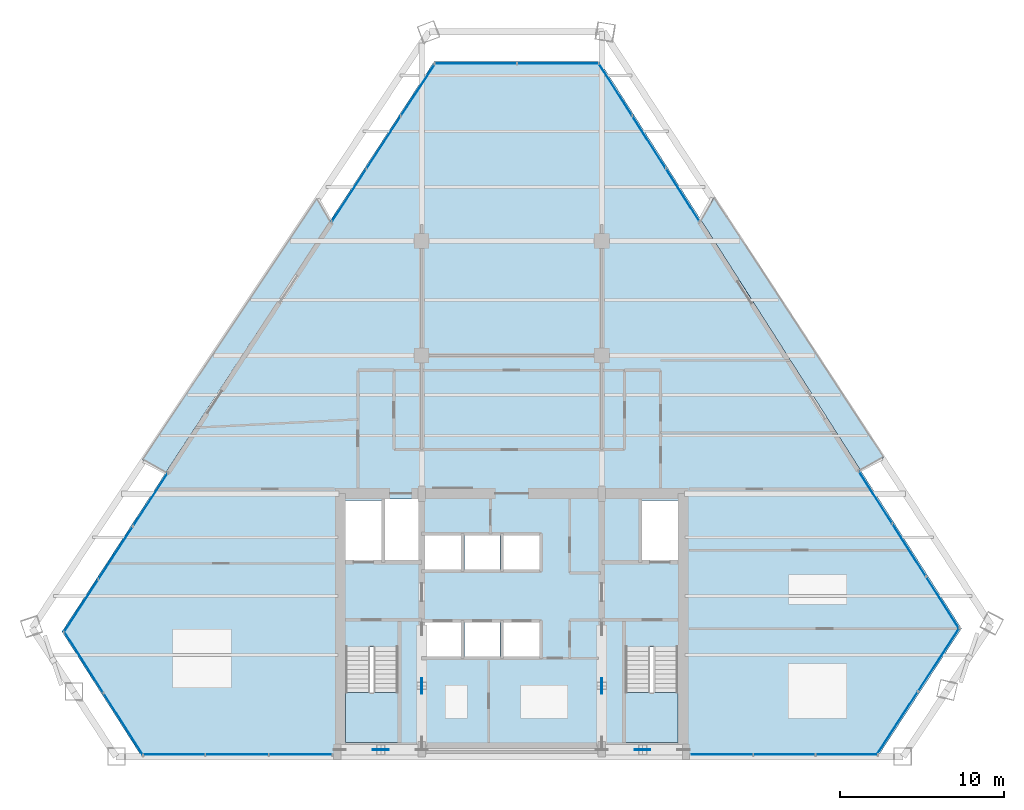
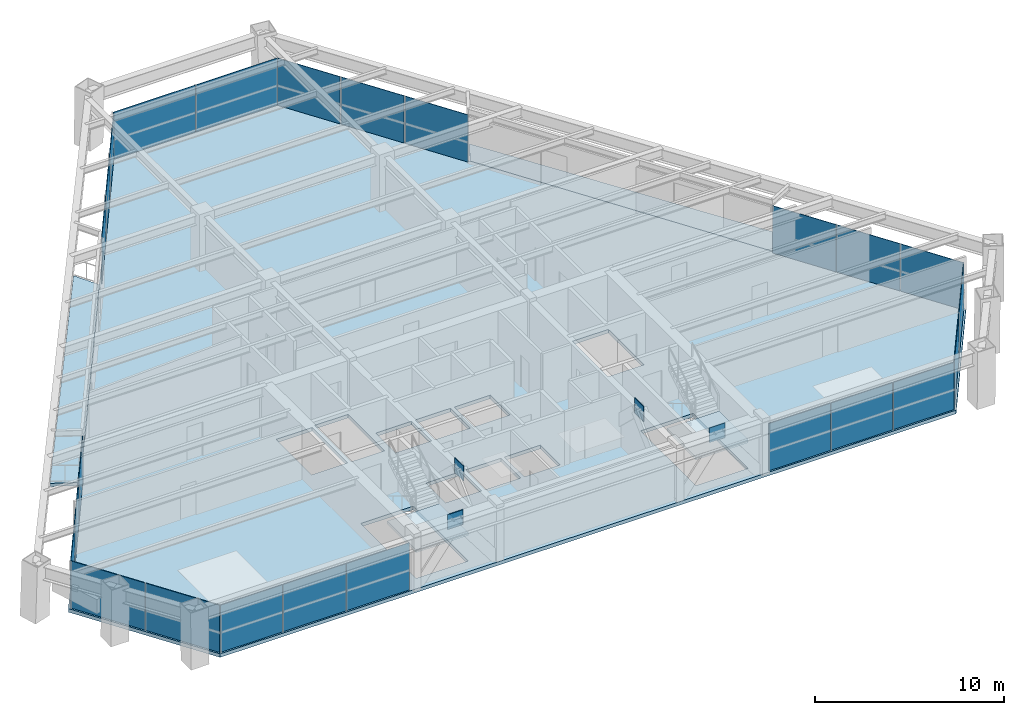
# One storey, part 10 of 15: 28 plates, 5 slabs, 11 elements without a shape of their own.
"""IFC4 building model written with IfcOpenShell, lengths in metres."""

import ifcopenshell
import ifcopenshell.guid

model = None  # the IFC model being written
_history = None  # IfcOwnerHistory: only IFC2X3 demands one
_inside = {}  # id of a spatial element -> (the spatial element, [elements in it])
_under = {}  # id of a project, library or spatial element -> (it, [spatial elements below it])
_declared = {}  # id of a project -> (the project, [libraries it declares])
_typed = {}  # id of a type object -> (the type object, [elements of that type])
_made_of = {}  # id of a material, layer set ... -> (it, [elements and type objects made of it])


def new_model(schema):
    """Start an empty IFC model of exactly this schema.

    Asked for "IFC4X3", IfcOpenShell would pick the latest addendum, in which some entities
    have other attributes; the version numbers below select the first issue.
    IFC2X3 requires an IfcOwnerHistory on every rooted entity: one is made here for all.
    """
    global model, _history
    if schema == "IFC4X3":
        model = ifcopenshell.file(schema_version=(4, 3, 0, 0))
    else:
        model = ifcopenshell.file(schema=schema)
    _inside.clear()
    _under.clear()
    _declared.clear()
    _typed.clear()
    _made_of.clear()
    _history = None
    if model.schema == "IFC2X3":
        org = make("IfcOrganization", Name="unknown")
        user = make(
            "IfcPersonAndOrganization",
            ThePerson=make("IfcPerson", FamilyName="unknown"),
            TheOrganization=org,
        )
        app = make(
            "IfcApplication",
            ApplicationDeveloper=org,
            Version="unknown",
            ApplicationFullName="unknown",
            ApplicationIdentifier="unknown",
        )
        _history = make(
            "IfcOwnerHistory",
            OwningUser=user,
            OwningApplication=app,
            ChangeAction="ADDED",
            CreationDate=0,
        )
    return model


def make(cls, **values):
    """One entity of the class cls with the attributes given. An attribute that is None is left unset."""
    return model.create_entity(
        cls, **{name: value for name, value in values.items() if value is not None}
    )


def rooted(cls, **values):
    """An entity with a GlobalId (a new one), such as an element, a storey or a relation."""
    return make(cls, GlobalId=ifcopenshell.guid.new(), OwnerHistory=_history, **values)


def si_unit(unit_type, name, prefix=None):
    """IfcSIUnit, for example si_unit("LENGTHUNIT", "METRE", prefix="MILLI")."""
    return make("IfcSIUnit", UnitType=unit_type, Prefix=prefix, Name=name)


def assignment(units):
    """IfcUnitAssignment: the units of a project."""
    return None if units is None else make("IfcUnitAssignment", Units=units)


def point(xyz):
    """IfcCartesianPoint."""
    return None if xyz is None else make("IfcCartesianPoint", Coordinates=xyz)


def direction(xyz):
    """IfcDirection."""
    return None if xyz is None else make("IfcDirection", DirectionRatios=xyz)


def frame(location, z_axis=None, x_axis=None):
    """IfcAxis2Placement3D, a coordinate frame: its origin and axes. An axis left out is left unset."""
    return make(
        "IfcAxis2Placement3D",
        Location=point(location),
        Axis=direction(z_axis),
        RefDirection=direction(x_axis),
    )


def frame_2d(location, x_axis=None):
    """IfcAxis2Placement2D, a coordinate frame in the plane: its origin and x axis."""
    return make(
        "IfcAxis2Placement2D", Location=point(location), RefDirection=direction(x_axis)
    )


def origin():
    """The frame at (0, 0, 0) with its axes left unset."""
    return frame((0.0, 0.0, 0.0))


def origin_2d():
    """The frame at (0, 0) in the plane with its x axis left unset."""
    return frame_2d((0.0, 0.0))


def place(relative_to, where):
    """IfcLocalPlacement: puts the frame where relative to a parent placement (None: the world)."""
    return make(
        "IfcLocalPlacement", PlacementRelTo=relative_to, RelativePlacement=where
    )


def context(
    kind, dimensions, precision=None, world=None, true_north=None, identifier=None
):
    """IfcGeometricRepresentationContext, for example the 3D "Model" context."""
    return make(
        "IfcGeometricRepresentationContext",
        ContextIdentifier=identifier,
        ContextType=kind,
        CoordinateSpaceDimension=dimensions,
        Precision=precision,
        WorldCoordinateSystem=world,
        TrueNorth=true_north,
    )


def subcontext(parent, identifier, kind, view, scale=None):
    """IfcGeometricRepresentationSubContext, for example "Body" below "Model"."""
    return make(
        "IfcGeometricRepresentationSubContext",
        ContextIdentifier=identifier,
        ContextType=kind,
        ParentContext=parent,
        TargetScale=scale,
        TargetView=view,
    )


def project(units=None, contexts=None):
    """IfcProject with its units and contexts."""
    return rooted(
        "IfcProject",
        Name="project",
        RepresentationContexts=contexts,
        UnitsInContext=assignment(units),
    )


def spatial(cls, under=None, at=None, **own):
    """A site, building, storey or space (cls), placed at a placement, below another one or the project."""
    s = rooted(cls, ObjectPlacement=at, **own)
    if under is not None:
        _under.setdefault(under.id(), (under, []))[1].append(s)
    return s


def polyline(points):
    """IfcPolyline through the points."""
    return make("IfcPolyline", Points=[point(p) for p in points])


def profile(cls, at=None, kind="AREA", **sizes):
    """A parametric profile (cls). Its sizes go by their IFC names, for example OverallWidth=200.0."""
    return make(cls, ProfileType=kind, Position=at, **sizes)


def rectangle(**sizes):
    """IfcRectangleProfileDef."""
    return profile("IfcRectangleProfileDef", **sizes)


def outline(outer, holes=None, kind="AREA"):
    """IfcArbitraryClosedProfileDef: a profile drawn as a closed curve; with holes, ...WithVoids."""
    if holes is None:
        return make("IfcArbitraryClosedProfileDef", ProfileType=kind, OuterCurve=outer)
    return make(
        "IfcArbitraryProfileDefWithVoids",
        ProfileType=kind,
        OuterCurve=outer,
        InnerCurves=holes,
    )


def extrude(swept, where, along, depth):
    """IfcExtrudedAreaSolid: the profile swept, set in the frame where, extruded along a direction by depth."""
    return make(
        "IfcExtrudedAreaSolid",
        SweptArea=swept,
        Position=where,
        ExtrudedDirection=direction(along),
        Depth=depth,
    )


def shape(context_of_items, identifier, shape_type, items):
    """IfcShapeRepresentation: the items that make up one representation, for example the "Body"."""
    return make(
        "IfcShapeRepresentation",
        ContextOfItems=context_of_items,
        RepresentationIdentifier=identifier,
        RepresentationType=shape_type,
        Items=items,
    )


def source(mapping_origin, context_of_items, identifier, shape_type, items):
    """IfcRepresentationMap: a shape defined once, which mapped items show again and again."""
    return make(
        "IfcRepresentationMap",
        MappingOrigin=mapping_origin,
        MappedRepresentation=shape(context_of_items, identifier, shape_type, items),
    )


def transform(
    local_origin,
    x_axis=None,
    y_axis=None,
    z_axis=None,
    scale=None,
    scale2=None,
    scale3=None,
    uniform=True,
):
    """IfcCartesianTransformationOperator3D, or its non-uniform kind. x_axis, y_axis, z_axis: its Axis1, 2, 3."""
    if uniform:
        return make(
            "IfcCartesianTransformationOperator3D",
            Axis1=direction(x_axis),
            Axis2=direction(y_axis),
            LocalOrigin=point(local_origin),
            Scale=scale,
            Axis3=direction(z_axis),
        )
    return make(
        "IfcCartesianTransformationOperator3DnonUniform",
        Axis1=direction(x_axis),
        Axis2=direction(y_axis),
        LocalOrigin=point(local_origin),
        Scale=scale,
        Axis3=direction(z_axis),
        Scale2=scale2,
        Scale3=scale3,
    )


def mapped(mapping_source, mapping_target):
    """IfcMappedItem: shows the shape of a source again, moved by a transform."""
    return make(
        "IfcMappedItem", MappingSource=mapping_source, MappingTarget=mapping_target
    )


def material(Name=None, Category=None):
    """IfcMaterial."""
    return make("IfcMaterial", Name=Name, Category=Category)


def layer(
    of_material, thickness, ventilated=None, Name=None, Category=None, Priority=None
):
    """IfcMaterialLayer: one layer of a wall or slab, of a material (None: an air gap)."""
    return make(
        "IfcMaterialLayer",
        Material=of_material,
        LayerThickness=thickness,
        IsVentilated=ventilated,
        Name=Name,
        Category=Category,
        Priority=Priority,
    )


def layer_set(layers, Name=None):
    """IfcMaterialLayerSet."""
    return make("IfcMaterialLayerSet", MaterialLayers=layers, LayerSetName=Name)


def made_of(thing, what):
    """Note that an element or type object is made of a material, layer set ...; save() writes the relation."""
    if what is not None:
        _made_of.setdefault(what.id(), (what, []))[1].append(thing)
    return thing


def type_object(cls, material=None, **own):
    """A type object (cls), such as IfcWallType, which elements share."""
    return made_of(rooted(cls, **own), material)


def element(
    cls,
    number,
    at=None,
    inside=None,
    cuts=None,
    type_object=None,
    material=None,
    context=None,
    identifier="Body",
    shape_type=None,
    held_by="IfcProductDefinitionShape",
    body=None,
    shapes=None,
    **own,
):
    """One element of the class cls, such as IfcWall. Its Tag is "e" and its number.

    at: its placement. inside: the storey or other place that contains it. cuts: it is an
    opening in that element (IfcRelVoidsElement). A single representation is given by context,
    identifier, shape_type and body (its items); several are given by shapes. held_by: the class
    of the entity that holds the representations. save() writes the other relations.
    """
    e = rooted(cls, Tag="e%d" % number, ObjectPlacement=at, **own)
    if body is not None:
        shapes = [shape(context, identifier, shape_type, body)]
    if shapes is not None:
        e.Representation = make(held_by, Representations=shapes)
    if inside is not None:
        _inside.setdefault(inside.id(), (inside, []))[1].append(e)
    if cuts is not None:
        rooted(
            "IfcRelVoidsElement", RelatingBuildingElement=cuts, RelatedOpeningElement=e
        )
    if type_object is not None:
        _typed.setdefault(type_object.id(), (type_object, []))[1].append(e)
    return made_of(e, material)


def aggregate(whole, parts):
    """IfcRelAggregates: a whole, such as a stair, and the parts it consists of."""
    return rooted("IfcRelAggregates", RelatingObject=whole, RelatedObjects=parts)


def save(model, path):
    """Write the relations noted so far, then the file.

    IfcRelAggregates (storeys below a building ...), IfcRelContainedInSpatialStructure (elements
    in a storey), IfcRelDefinesByType, IfcRelAssociatesMaterial and IfcRelDeclares: one each for
    every whole, place, type object, material and project.
    """
    for whole, parts in _under.values():
        aggregate(whole, parts)
    for where, things in _inside.values():
        rooted(
            "IfcRelContainedInSpatialStructure",
            RelatedElements=things,
            RelatingStructure=where,
        )
    for kind, things in _typed.values():
        rooted("IfcRelDefinesByType", RelatedObjects=things, RelatingType=kind)
    for what, things in _made_of.values():
        rooted("IfcRelAssociatesMaterial", RelatedObjects=things, RelatingMaterial=what)
    for by, libraries in _declared.values():
        rooted("IfcRelDeclares", RelatingContext=by, RelatedDefinitions=libraries)
    model.write(path)


model = new_model("IFC4")

# Units and contexts
model_context = context("Model", 3, precision=1e-05, world=origin(), true_north=direction((0.0, 1.0)))
body_context = subcontext(model_context, "Body", "Model", "MODEL_VIEW")
ifc_project = project(units=[si_unit("LENGTHUNIT", "METRE"), si_unit("AREAUNIT", "SQUARE_METRE"), si_unit("VOLUMEUNIT", "CUBIC_METRE"), si_unit("PLANEANGLEUNIT", "RADIAN"), si_unit("MASSUNIT", "GRAM", prefix="KILO")], contexts=[model_context])

# Site, building, storey
site_placement = place(None, origin())
site = spatial("IfcSite", under=ifc_project, at=site_placement, CompositionType="ELEMENT")
building_placement = place(site_placement, origin())
building = spatial("IfcBuilding", under=site, at=building_placement, Name="Varnakhor Terracotta Tower", CompositionType="ELEMENT")
storey_placement = place(building_placement, frame((0.0, 0.0, 136.699951171875)))
storey = spatial("IfcBuildingStorey", under=building, at=storey_placement, Name="L34", CompositionType="ELEMENT", Elevation=136.699951171875)

# Stair, slab
ifc_material_1 = material(Name="Concrete C40/50", Category="concrete")
stair_type = type_object("IfcStairType", Name="STR-CORE-OFFICE-1500", PredefinedType="HALF_TURN_STAIR", material=ifc_material_1)
stair_1_placement = place(storey_placement, origin())
stair_1 = element("IfcStair", 1, at=stair_1_placement, inside=storey, type_object=stair_type, Name="L34 Core Exit Stair ST-1", PredefinedType="HALF_TURN_STAIR")
ifc_layer_1 = layer(ifc_material_1, 0.179931640625, Name="Concrete C40/50")
ifc_layer_set_1 = layer_set([ifc_layer_1], Name="Concrete C40/50")
slab_type_1 = type_object("IfcSlabType", Name="SLB-LANDING-180", PredefinedType="LANDING", material=ifc_layer_set_1)
slab_1_placement = place(storey_placement, frame((0.0, 0.0, 1.650146484375)))
slab_1 = element("IfcSlab", 2, at=slab_1_placement, type_object=slab_type_1, Name="ST-1 landing 1", PredefinedType="LANDING", context=body_context, shape_type="SweptSolid", body=[
    extrude(outline(polyline([(-10.14990234375, 3.909912109375), (-10.14990234375, 0.85009765625), (-6.949951171875, 0.85009765625), (-6.949951171875, 3.909912109375), (-10.14990234375, 3.909912109375)])), origin(), (0.0, 0.0, 1.0), 0.199951171875),
])
aggregate(stair_1, [slab_1])

stair_2_placement = place(storey_placement, origin())
stair_2 = element("IfcStair", 3, at=stair_2_placement, inside=storey, type_object=stair_type, Name="L34 Core Exit Stair ST-2", PredefinedType="HALF_TURN_STAIR")
slab_2_placement = place(storey_placement, frame((0.0, 0.0, 1.650146484375)))
slab_2 = element("IfcSlab", 4, at=slab_2_placement, type_object=slab_type_1, Name="ST-2 landing 1", PredefinedType="LANDING", context=body_context, shape_type="SweptSolid", body=[
    extrude(outline(polyline([(6.949951171875, 3.909912109375), (6.949951171875, 0.85009765625), (10.14990234375, 0.85009765625), (10.14990234375, 3.909912109375), (6.949951171875, 3.909912109375)])), origin(), (0.0, 0.0, 1.0), 0.199951171875),
])
aggregate(stair_2, [slab_2])

# Slabs
ifc_layer_2 = layer(ifc_material_1, 0.195068359375, Name="Concrete C40/50")
ifc_layer_set_2 = layer_set([ifc_layer_2], Name="Concrete C40/50")
slab_type_2 = type_object("IfcSlabType", Name="SLB-LOGGIA-EXT-195", PredefinedType="FLOOR", material=ifc_layer_set_2)
slab_3_placement = place(storey_placement, frame((0.0, 0.0, -0.195068359375)))
element("IfcSlab", 5, at=slab_3_placement, inside=storey, type_object=slab_type_2, Name="L34 E Recessed Outdoor Loggia Slab", PredefinedType="FLOOR", context=body_context, shape_type="SweptSolid", body=[
    extrude(outline(polyline([(12.341796875, 34.15625), (22.7236328125, 18.26904296875), (21.289794921875, 17.520263671875), (11.57421875, 32.75634765625), (12.341796875, 34.15625)])), origin(), (0.0, 0.0, 1.0), 0.195068359375),
])
slab_4_placement = place(storey_placement, frame((0.0, 0.0, -0.195068359375)))
element("IfcSlab", 6, at=slab_4_placement, inside=storey, type_object=slab_type_2, Name="L34 W Recessed Outdoor Loggia Slab", PredefinedType="FLOOR", context=body_context, shape_type="SweptSolid", body=[
    extrude(outline(polyline([(-22.552001953125, 18.127197265625), (-11.880615234375, 34.10107421875), (-11.110595703125, 32.703369140625), (-17.7431640625, 22.54443359375), (-21.1123046875, 17.38427734375), (-22.552001953125, 18.127197265625)])), origin(), (0.0, 0.0, 1.0), 0.195068359375),
])
ifc_layer_3 = layer(ifc_material_1, 0.22998046875, Name="Concrete C40/50")
ifc_layer_set_3 = layer_set([ifc_layer_3], Name="Concrete C40/50")
slab_type_3 = type_object("IfcSlabType", Name="SLB-OFF-230", PredefinedType="FLOOR", material=ifc_layer_set_3)
slab_5_placement = place(storey_placement, frame((0.0, 0.0, -0.22998046875)))
element("IfcSlab", 7, at=slab_5_placement, inside=storey, type_object=slab_type_3, Name="L34 Structural Floor Slab", PredefinedType="FLOOR", context=body_context, shape_type="SweptSolid", body=[
    extrude(outline(polyline([(-27.47705078125, 7.635498046875), (-4.74609375, 42.451904296875), (5.3916015625, 42.451904296875), (27.47265625, 7.824462890625), (22.364013671875, 0.0), (-22.60791015625, 0.0), (-27.47705078125, 7.635498046875)]), holes=[polyline([(-6.949951171875, 0.85009765625), (-6.949951171875, 6.695068359375), (-10.14990234375, 6.695068359375), (-10.14990234375, 0.85009765625), (-6.949951171875, 0.85009765625)]), polyline([(-3.10009765625, 6.10009765625), (-3.10009765625, 8.199951171875), (-5.300048828125, 8.199951171875), (-5.300048828125, 6.10009765625), (-3.10009765625, 6.10009765625)]), polyline([(-0.719970703125, 6.10009765625), (-0.719970703125, 8.199951171875), (-2.8798828125, 8.199951171875), (-2.8798828125, 6.10009765625), (-0.719970703125, 6.10009765625)]), polyline([(-5.300048828125, 11.419921875), (-3.10009765625, 11.419921875), (-3.10009765625, 13.52001953125), (-5.300048828125, 13.52001953125), (-5.300048828125, 11.419921875)]), polyline([(-10.14990234375, 11.8798828125), (-7.949951171875, 11.8798828125), (-7.949951171875, 15.64990234375), (-10.14990234375, 15.64990234375), (-10.14990234375, 11.8798828125)]), polyline([(-5.699951171875, 11.8798828125), (-5.699951171875, 15.75), (-7.72998046875, 15.75), (-7.72998046875, 11.8798828125), (-5.699951171875, 11.8798828125)]), polyline([(6.949951171875, 0.85009765625), (10.14990234375, 0.85009765625), (10.14990234375, 6.695068359375), (6.949951171875, 6.695068359375), (6.949951171875, 0.85009765625)]), polyline([(-0.5, 6.10009765625), (1.699951171875, 6.10009765625), (1.699951171875, 8.199951171875), (-0.5, 8.199951171875), (-0.5, 6.10009765625)]), polyline([(-0.719970703125, 11.419921875), (-0.719970703125, 13.52001953125), (-2.8798828125, 13.52001953125), (-2.8798828125, 11.419921875), (-0.719970703125, 11.419921875)]), polyline([(-0.5, 11.419921875), (1.699951171875, 11.419921875), (1.699951171875, 13.52001953125), (-0.5, 13.52001953125), (-0.5, 11.419921875)]), polyline([(7.949951171875, 11.8798828125), (10.14990234375, 11.8798828125), (10.14990234375, 15.64990234375), (7.949951171875, 15.64990234375), (7.949951171875, 11.8798828125)])]), origin(), (0.0, 0.0, 1.0), 0.22998046875),
])

# Plates
ifc_material_2 = material(Name="Steel S460", Category="steel")
ifc_layer_4 = layer(ifc_material_2, 0.050048828125, Name="Steel S460")
ifc_layer_set_4 = layer_set([ifc_layer_4], Name="Steel S460")
plate_type_1 = type_object("IfcPlateType", Name="PLT-GUSSET-50", PredefinedType="USERDEFINED", material=ifc_layer_set_4)
shared_shape_1 = source(origin(), body_context, "Body", "SweptSolid", [
    extrude(rectangle(XDim=0.949951171875, YDim=0.044921875, at=origin_2d()), origin(), (0.0, 0.0, 1.0), 0.949951171875),
])
for number, where, z_axis, x_axis, name in (
    (8, (-8.0, 0.419921875, 2.84521484375), (0.0, 0.0, 1.0), (1.0, 0.0, 0.0), "L34 Core Brace Apex Gusset CSW"),
    (9, (8.0, 0.419921875, 2.84521484375), (0.0, 0.0, 1.0), (1.0, 0.0, 0.0), "L34 Core Brace Apex Gusset CSE"),
    (10, (-5.5, 4.324951171875, 2.84521484375), (0.0, 0.0, 1.0), (0.0, 1.0, 0.0), "L34 Core Brace Apex Gusset CWW"),
    (11, (5.5, 4.324951171875, 2.84521484375), (0.0, 0.0, 1.0), (0.0, 1.0, 0.0), "L34 Core Brace Apex Gusset CWE"),
):
    element("IfcPlate", number, at=place(storey_placement, frame(where, z_axis=z_axis, x_axis=x_axis)), inside=storey, type_object=plate_type_1, Name=name, ObjectType="GUSSET PLATE", PredefinedType="USERDEFINED", context=body_context, shape_type="MappedRepresentation", body=[
        mapped(shared_shape_1, transform((0.0, 0.0, 0.0), scale=1.0)),
    ])

# Curtain wall, plates
ifc_material_3 = material(Name="Anodised Aluminium Curtain Wall System", Category="aluminium")
curtain_wall_type = type_object("IfcCurtainWallType", Name="CW-SYS-MID-OFFICE", PredefinedType="NOTDEFINED", material=ifc_material_3)
curtain_wall_1_placement = place(storey_placement, origin())
curtain_wall_1 = element("IfcCurtainWall", 12, at=curtain_wall_1_placement, inside=storey, type_object=curtain_wall_type, Name="L34 W Facet Curtain Wall 1", PredefinedType="NOTDEFINED")
ifc_material_4 = material(Name="Solar-Control Low-E Insulated Glass Panel", Category="glass")
ifc_layer_5 = layer(ifc_material_4, 0.035888671875, Name="Solar-Control Low-E Insulated Glass Panel")
ifc_layer_set_5 = layer_set([ifc_layer_5], Name="Solar-Control Low-E Insulated Glass Panel")
plate_type_2 = type_object("IfcPlateType", Name="CWP-03", PredefinedType="CURTAIN_PANEL", material=ifc_layer_set_5)
shared_shape_2 = source(origin(), body_context, "Body", "SweptSolid", [
    extrude(rectangle(XDim=3.82080078125, YDim=0.035888671875, at=origin_2d()), origin(), (0.0, 0.0, 1.0), 3.050048828125),
])
plate_1_placement = place(storey_placement, frame((-26.3046875, 9.21142578125, 0.0), z_axis=(0.0, 0.0, 1.0), x_axis=(0.546686665878, 0.837337261414, 0.0)))
plate_1 = element("IfcPlate", 13, at=plate_1_placement, type_object=plate_type_2, Name="L34 W Facet Curtain Wall 1 Glazed Panel 1", PredefinedType="CURTAIN_PANEL", context=body_context, shape_type="MappedRepresentation", body=[
    mapped(shared_shape_2, transform((0.0, 0.0, 0.0), scale=1.0)),
])
plate_2_placement = place(storey_placement, frame((-24.194091796875, 12.4443359375, 0.0), z_axis=(0.0, 0.0, 1.0), x_axis=(0.546686665878, 0.837337261414, 0.0)))
plate_2 = element("IfcPlate", 14, at=plate_2_placement, type_object=plate_type_2, Name="L34 W Facet Curtain Wall 1 Glazed Panel 2", PredefinedType="CURTAIN_PANEL", context=body_context, shape_type="MappedRepresentation", body=[
    mapped(shared_shape_2, transform((0.0, 0.0, 0.0), scale=1.0)),
])
plate_3_placement = place(storey_placement, frame((-22.08349609375, 15.677001953125, 0.0), z_axis=(0.0, 0.0, 1.0), x_axis=(0.546686665878, 0.837337261414, 0.0)))
plate_3 = element("IfcPlate", 15, at=plate_3_placement, type_object=plate_type_2, Name="L34 W Facet Curtain Wall 1 Glazed Panel 3", PredefinedType="CURTAIN_PANEL", context=body_context, shape_type="MappedRepresentation", body=[
    mapped(shared_shape_2, transform((0.0, 0.0, 0.0), scale=1.0)),
])
aggregate(curtain_wall_1, [plate_1, plate_2, plate_3])

curtain_wall_2_placement = place(storey_placement, origin())
curtain_wall_2 = element("IfcCurtainWall", 16, at=curtain_wall_2_placement, inside=storey, type_object=curtain_wall_type, Name="L34 W Facet Curtain Wall 2", PredefinedType="NOTDEFINED")
plate_4_placement = place(storey_placement, frame((-9.9384765625, 34.279296875, 0.0), z_axis=(0.0, 0.0, 1.0), x_axis=(0.546686665878, 0.837337261414, 0.0)))
plate_4 = element("IfcPlate", 17, at=plate_4_placement, type_object=plate_type_2, Name="L34 W Facet Curtain Wall 2 Glazed Panel 1", PredefinedType="CURTAIN_PANEL", context=body_context, shape_type="MappedRepresentation", body=[
    mapped(shared_shape_2, transform((0.0, 0.0, 0.0), scale=1.0)),
])
plate_5_placement = place(storey_placement, frame((-7.827880859375, 37.51220703125, 0.0), z_axis=(0.0, 0.0, 1.0), x_axis=(0.546686665878, 0.837337261414, 0.0)))
plate_5 = element("IfcPlate", 18, at=plate_5_placement, type_object=plate_type_2, Name="L34 W Facet Curtain Wall 2 Glazed Panel 2", PredefinedType="CURTAIN_PANEL", context=body_context, shape_type="MappedRepresentation", body=[
    mapped(shared_shape_2, transform((0.0, 0.0, 0.0), scale=1.0)),
])
plate_6_placement = place(storey_placement, frame((-5.71728515625, 40.744873046875, 0.0), z_axis=(0.0, 0.0, 1.0), x_axis=(0.546686665878, 0.837337261414, 0.0)))
plate_6 = element("IfcPlate", 19, at=plate_6_placement, type_object=plate_type_2, Name="L34 W Facet Curtain Wall 2 Glazed Panel 3", PredefinedType="CURTAIN_PANEL", context=body_context, shape_type="MappedRepresentation", body=[
    mapped(shared_shape_2, transform((0.0, 0.0, 0.0), scale=1.0)),
])
aggregate(curtain_wall_2, [plate_4, plate_5, plate_6])

curtain_wall_3_placement = place(storey_placement, origin())
curtain_wall_3 = element("IfcCurtainWall", 20, at=curtain_wall_3_placement, inside=storey, type_object=curtain_wall_type, Name="L34 Facet Curtain Wall 2", PredefinedType="NOTDEFINED")
shared_shape_3 = source(origin(), body_context, "Body", "SweptSolid", [
    extrude(rectangle(XDim=4.998779296875, YDim=0.035888671875, at=origin_2d()), origin(), (0.0, 0.0, 1.0), 3.050048828125),
])
plate_7_placement = place(storey_placement, frame((-2.196533203125, 42.33203125, 0.0), z_axis=(0.0, 0.0, 1.0), x_axis=(1.0, 0.0, 0.0)))
plate_7 = element("IfcPlate", 21, at=plate_7_placement, type_object=plate_type_2, Name="L34 Facet Curtain Wall 2 Glazed Panel 1", PredefinedType="CURTAIN_PANEL", context=body_context, shape_type="MappedRepresentation", body=[
    mapped(shared_shape_3, transform((0.0, 0.0, 0.0), scale=1.0)),
])
plate_8_placement = place(storey_placement, frame((2.84228515625, 42.33203125, 0.0), z_axis=(0.0, 0.0, 1.0), x_axis=(1.0, 0.0, 0.0)))
plate_8 = element("IfcPlate", 22, at=plate_8_placement, type_object=plate_type_2, Name="L34 Facet Curtain Wall 2 Glazed Panel 2", PredefinedType="CURTAIN_PANEL", context=body_context, shape_type="MappedRepresentation", body=[
    mapped(shared_shape_3, transform((0.0, 0.0, 0.0), scale=1.0)),
])
aggregate(curtain_wall_3, [plate_7, plate_8])

curtain_wall_4_placement = place(storey_placement, origin())
curtain_wall_4 = element("IfcCurtainWall", 23, at=curtain_wall_4_placement, inside=storey, type_object=curtain_wall_type, Name="L34 E Facet Curtain Wall 1", PredefinedType="NOTDEFINED")
shared_shape_4 = source(origin(), body_context, "Body", "SweptSolid", [
    extrude(rectangle(XDim=3.773193359375, YDim=0.035888671875, at=origin_2d()), origin(), (0.0, 0.0, 1.0), 3.050048828125),
])
plate_9_placement = place(storey_placement, frame((6.33154296875, 40.754638671875, 0.0), z_axis=(0.0, 0.0, 1.0), x_axis=(0.537667556128, -0.843156924355, 0.0)))
plate_9 = element("IfcPlate", 24, at=plate_9_placement, type_object=plate_type_2, Name="L34 E Facet Curtain Wall 1 Glazed Panel 1", PredefinedType="CURTAIN_PANEL", context=body_context, shape_type="MappedRepresentation", body=[
    mapped(shared_shape_4, transform((0.0, 0.0, 0.0), scale=1.0)),
])
plate_10_placement = place(storey_placement, frame((10.431884765625, 34.32470703125, 0.0), z_axis=(0.0, 0.0, 1.0), x_axis=(0.537667556128, -0.843156924355, 0.0)))
plate_10 = element("IfcPlate", 25, at=plate_10_placement, type_object=plate_type_2, Name="L34 E Facet Curtain Wall 1 Glazed Panel 3", PredefinedType="CURTAIN_PANEL", context=body_context, shape_type="MappedRepresentation", body=[
    mapped(shared_shape_4, transform((0.0, 0.0, 0.0), scale=1.0)),
])

curtain_wall_5_placement = place(storey_placement, origin())
curtain_wall_5 = element("IfcCurtainWall", 26, at=curtain_wall_5_placement, inside=storey, type_object=curtain_wall_type, Name="L34 E Facet Curtain Wall 2", PredefinedType="NOTDEFINED")
plate_11_placement = place(storey_placement, frame((22.22998046875, 15.82275390625, 0.0), z_axis=(0.0, 0.0, 1.0), x_axis=(0.537667556128, -0.843156924355, 0.0)))
plate_11 = element("IfcPlate", 27, at=plate_11_placement, type_object=plate_type_2, Name="L34 E Facet Curtain Wall 2 Glazed Panel 1", PredefinedType="CURTAIN_PANEL", context=body_context, shape_type="MappedRepresentation", body=[
    mapped(shared_shape_4, transform((0.0, 0.0, 0.0), scale=1.0)),
])
plate_12_placement = place(storey_placement, frame((24.280029296875, 12.60791015625, 0.0), z_axis=(0.0, 0.0, 1.0), x_axis=(0.537667556128, -0.843156924355, 0.0)))
plate_12 = element("IfcPlate", 28, at=plate_12_placement, type_object=plate_type_2, Name="L34 E Facet Curtain Wall 2 Glazed Panel 2", PredefinedType="CURTAIN_PANEL", context=body_context, shape_type="MappedRepresentation", body=[
    mapped(shared_shape_4, transform((0.0, 0.0, 0.0), scale=1.0)),
])

# Plate
shared_shape_5 = source(origin(), body_context, "Body", "SweptSolid", [
    extrude(rectangle(XDim=3.77294921875, YDim=0.035888671875, at=origin_2d()), origin(), (0.0, 0.0, 1.0), 3.050048828125),
])
plate_13_placement = place(storey_placement, frame((8.3818359375, 37.53955078125, 0.0), z_axis=(0.0, 0.0, 1.0), x_axis=(0.537667556128, -0.843156924355, 0.0)))
plate_13 = element("IfcPlate", 29, at=plate_13_placement, type_object=plate_type_2, Name="L34 E Facet Curtain Wall 1 Glazed Panel 2", PredefinedType="CURTAIN_PANEL", context=body_context, shape_type="MappedRepresentation", body=[
    mapped(shared_shape_5, transform((0.0, 0.0, 0.0), scale=1.0)),
])

aggregate(curtain_wall_4, [plate_9, plate_13, plate_10])

plate_14_placement = place(storey_placement, frame((26.330078125, 9.392822265625, 0.0), z_axis=(0.0, 0.0, 1.0), x_axis=(0.537667556128, -0.843156924355, 0.0)))
plate_14 = element("IfcPlate", 30, at=plate_14_placement, type_object=plate_type_2, Name="L34 E Facet Curtain Wall 2 Glazed Panel 3", PredefinedType="CURTAIN_PANEL", context=body_context, shape_type="MappedRepresentation", body=[
    mapped(shared_shape_5, transform((0.0, 0.0, 0.0), scale=1.0)),
])

aggregate(curtain_wall_5, [plate_11, plate_12, plate_14])

# Curtain wall, plates
curtain_wall_6_placement = place(storey_placement, origin())
curtain_wall_6 = element("IfcCurtainWall", 31, at=curtain_wall_6_placement, inside=storey, type_object=curtain_wall_type, Name="L34 Facet Curtain Wall 4", PredefinedType="NOTDEFINED")
shared_shape_6 = source(origin(), body_context, "Body", "SweptSolid", [
    extrude(rectangle(XDim=4.602294921875, YDim=0.035888671875, at=origin_2d()), origin(), (0.0, 0.0, 1.0), 3.050048828125),
])
plate_15_placement = place(storey_placement, frame((26.0869140625, 5.92138671875, 0.0), z_axis=(0.0, 0.0, 1.0), x_axis=(-0.546686665878, -0.837337261414, 0.0)))
plate_15 = element("IfcPlate", 32, at=plate_15_placement, type_object=plate_type_2, Name="L34 Facet Curtain Wall 4 Glazed Panel 1", PredefinedType="CURTAIN_PANEL", context=body_context, shape_type="MappedRepresentation", body=[
    mapped(shared_shape_6, transform((0.0, 0.0, 0.0), scale=1.0)),
])
plate_16_placement = place(storey_placement, frame((23.549072265625, 2.0341796875, 0.0), z_axis=(0.0, 0.0, 1.0), x_axis=(-0.546686665878, -0.837337261414, 0.0)))
plate_16 = element("IfcPlate", 33, at=plate_16_placement, type_object=plate_type_2, Name="L34 Facet Curtain Wall 4 Glazed Panel 2", PredefinedType="CURTAIN_PANEL", context=body_context, shape_type="MappedRepresentation", body=[
    mapped(shared_shape_6, transform((0.0, 0.0, 0.0), scale=1.0)),
])
aggregate(curtain_wall_6, [plate_15, plate_16])

curtain_wall_7_placement = place(storey_placement, origin())
curtain_wall_7 = element("IfcCurtainWall", 34, at=curtain_wall_7_placement, inside=storey, type_object=curtain_wall_type, Name="L34 South Wing Curtain Wall SSE", PredefinedType="NOTDEFINED")
shared_shape_7 = source(origin(), body_context, "Body", "SweptSolid", [
    extrude(rectangle(XDim=3.754638671875, YDim=0.035888671875, at=origin_2d()), origin(), (0.0, 0.0, 1.0), 3.050048828125),
])
plate_17_placement = place(storey_placement, frame((20.456787109375, 0.1201171875, 0.0), z_axis=(0.0, 0.0, 1.0), x_axis=(-1.0, 0.0, 0.0)))
plate_17 = element("IfcPlate", 35, at=plate_17_placement, type_object=plate_type_2, Name="L34 South Wing Curtain Wall SSE Glazed Panel 1", PredefinedType="CURTAIN_PANEL", context=body_context, shape_type="MappedRepresentation", body=[
    mapped(shared_shape_7, transform((0.0, 0.0, 0.0), scale=1.0)),
])
plate_18_placement = place(storey_placement, frame((16.662109375, 0.1201171875, 0.0), z_axis=(0.0, 0.0, 1.0), x_axis=(-1.0, 0.0, 0.0)))
plate_18 = element("IfcPlate", 36, at=plate_18_placement, type_object=plate_type_2, Name="L34 South Wing Curtain Wall SSE Glazed Panel 2", PredefinedType="CURTAIN_PANEL", context=body_context, shape_type="MappedRepresentation", body=[
    mapped(shared_shape_7, transform((0.0, 0.0, 0.0), scale=1.0)),
])
plate_19_placement = place(storey_placement, frame((12.867431640625, 0.1201171875, 0.0), z_axis=(0.0, 0.0, 1.0), x_axis=(-1.0, 0.0, 0.0)))
plate_19 = element("IfcPlate", 37, at=plate_19_placement, type_object=plate_type_2, Name="L34 South Wing Curtain Wall SSE Glazed Panel 3", PredefinedType="CURTAIN_PANEL", context=body_context, shape_type="MappedRepresentation", body=[
    mapped(shared_shape_7, transform((0.0, 0.0, 0.0), scale=1.0)),
])
aggregate(curtain_wall_7, [plate_17, plate_18, plate_19])

curtain_wall_8_placement = place(storey_placement, origin())
curtain_wall_8 = element("IfcCurtainWall", 38, at=curtain_wall_8_placement, inside=storey, type_object=curtain_wall_type, Name="L34 South Wing Curtain Wall SSW", PredefinedType="NOTDEFINED")
shared_shape_8 = source(origin(), body_context, "Body", "SweptSolid", [
    extrude(rectangle(XDim=3.8359375, YDim=0.035888671875, at=origin_2d()), origin(), (0.0, 0.0, 1.0), 3.050048828125),
])
plate_20_placement = place(storey_placement, frame((-12.907958984375, 0.1201171875, 0.0), z_axis=(0.0, 0.0, 1.0), x_axis=(-1.0, 0.0, 0.0)))
plate_20 = element("IfcPlate", 39, at=plate_20_placement, type_object=plate_type_2, Name="L34 South Wing Curtain Wall SSW Glazed Panel 1", PredefinedType="CURTAIN_PANEL", context=body_context, shape_type="MappedRepresentation", body=[
    mapped(shared_shape_8, transform((0.0, 0.0, 0.0), scale=1.0)),
])
plate_21_placement = place(storey_placement, frame((-16.783935546875, 0.1201171875, 0.0), z_axis=(0.0, 0.0, 1.0), x_axis=(-1.0, 0.0, 0.0)))
plate_21 = element("IfcPlate", 40, at=plate_21_placement, type_object=plate_type_2, Name="L34 South Wing Curtain Wall SSW Glazed Panel 2", PredefinedType="CURTAIN_PANEL", context=body_context, shape_type="MappedRepresentation", body=[
    mapped(shared_shape_8, transform((0.0, 0.0, 0.0), scale=1.0)),
])
plate_22_placement = place(storey_placement, frame((-20.659912109375, 0.1201171875, 0.0), z_axis=(0.0, 0.0, 1.0), x_axis=(-1.0, 0.0, 0.0)))
plate_22 = element("IfcPlate", 41, at=plate_22_placement, type_object=plate_type_2, Name="L34 South Wing Curtain Wall SSW Glazed Panel 3", PredefinedType="CURTAIN_PANEL", context=body_context, shape_type="MappedRepresentation", body=[
    mapped(shared_shape_8, transform((0.0, 0.0, 0.0), scale=1.0)),
])
aggregate(curtain_wall_8, [plate_20, plate_21, plate_22])

curtain_wall_9_placement = place(storey_placement, origin())
curtain_wall_9 = element("IfcCurtainWall", 42, at=curtain_wall_9_placement, inside=storey, type_object=curtain_wall_type, Name="L34 Facet Curtain Wall 6", PredefinedType="NOTDEFINED")
shared_shape_9 = source(origin(), body_context, "Body", "SweptSolid", [
    extrude(rectangle(XDim=4.4580078125, YDim=0.035888671875, at=origin_2d()), origin(), (0.0, 0.0, 1.0), 3.050048828125),
])
plate_23_placement = place(storey_placement, frame((-23.732177734375, 1.986083984375, 0.0), z_axis=(0.0, 0.0, 1.0), x_axis=(-0.537652840182, 0.843166308295, 0.0)))
plate_23 = element("IfcPlate", 43, at=plate_23_placement, type_object=plate_type_2, Name="L34 Facet Curtain Wall 6 Glazed Panel 1", PredefinedType="CURTAIN_PANEL", context=body_context, shape_type="MappedRepresentation", body=[
    mapped(shared_shape_9, transform((0.0, 0.0, 0.0), scale=1.0)),
])
plate_24_placement = place(storey_placement, frame((-26.150390625, 5.778564453125, 0.0), z_axis=(0.0, 0.0, 1.0), x_axis=(-0.537652840182, 0.843166308295, 0.0)))
plate_24 = element("IfcPlate", 44, at=plate_24_placement, type_object=plate_type_2, Name="L34 Facet Curtain Wall 6 Glazed Panel 2", PredefinedType="CURTAIN_PANEL", context=body_context, shape_type="MappedRepresentation", body=[
    mapped(shared_shape_9, transform((0.0, 0.0, 0.0), scale=1.0)),
])
aggregate(curtain_wall_9, [plate_23, plate_24])

save(model, "model.ifc")
